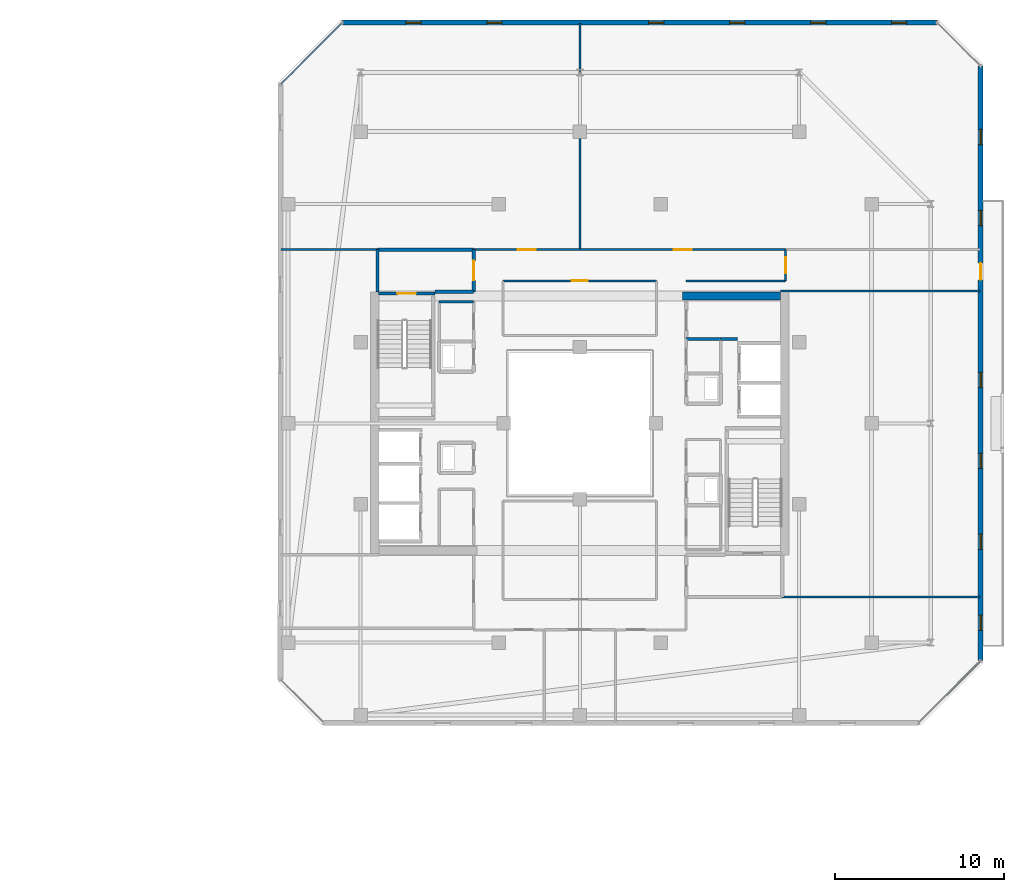
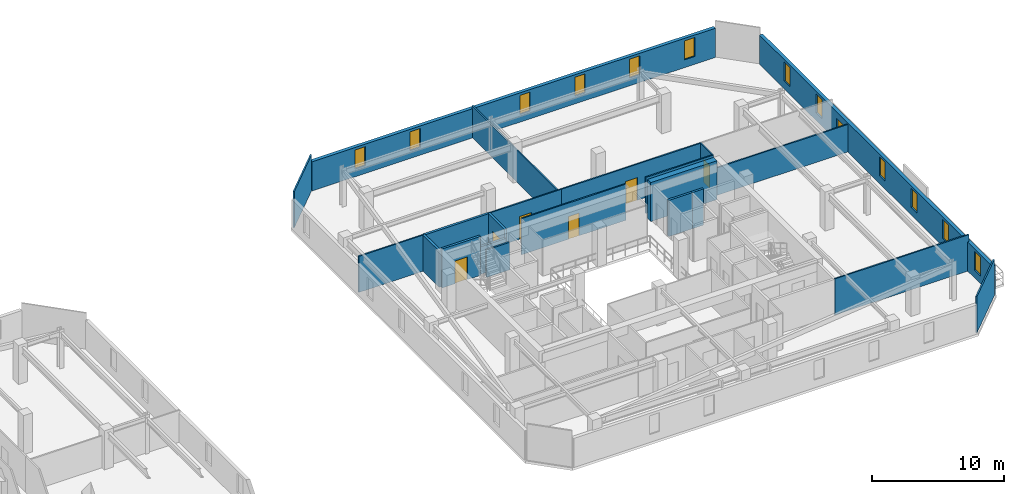
# One storey, part 27 of 34: 22 walls, 12 windows, 7 doors, 19 openings.
"""IFC4 building model written with IfcOpenShell, lengths in metres."""

from ifc_helpers import new_model, si_unit, direction, frame, frame_2d, origin, place, context, subcontext, project, spatial, rectangle, extrude, material, layer, layer_set, type_object, element, fill, save


model = new_model("IFC4")

# Units and contexts
model_context = context("Model", 3, precision=1e-05, world=origin(), true_north=direction((0.0, 1.0)))
body_context = subcontext(model_context, "Body", "Model", "MODEL_VIEW")
ifc_project = project(units=[si_unit("LENGTHUNIT", "METRE"), si_unit("AREAUNIT", "SQUARE_METRE"), si_unit("VOLUMEUNIT", "CUBIC_METRE"), si_unit("PLANEANGLEUNIT", "RADIAN"), si_unit("MASSUNIT", "GRAM", prefix="KILO")], contexts=[model_context])

# Site, building, storey
site_placement = place(None, origin())
site = spatial("IfcSite", under=ifc_project, at=site_placement, CompositionType="ELEMENT")
building_placement = place(site_placement, origin())
building = spatial("IfcBuilding", under=site, at=building_placement, Name="Thornwick Lancets Civic Towers", CompositionType="ELEMENT")
storey_placement = place(building_placement, frame((0.0, 0.0, 261.89990234375)))
storey = spatial("IfcBuildingStorey", under=building, at=storey_placement, Name="L70", CompositionType="ELEMENT", Elevation=261.89990234375)

# Wall
ifc_material_1 = material(Name="Concrete blockwork C40/50", Category="masonry")
ifc_layer_1 = layer(ifc_material_1, 0.199951171875, Name="Concrete blockwork C40/50")
ifc_layer_set_1 = layer_set([ifc_layer_1], Name="Concrete blockwork C40/50")
wall_type_1 = type_object("IfcWallType", Name="WALL_COMP_200", PredefinedType="STANDARD", material=ifc_layer_set_1)
wall_1_placement = place(storey_placement, frame((79.89990234375, 34.800048828125, 0.0), z_axis=(0.0, 0.0, 1.0), x_axis=(1.0, 0.0, 0.0)))
element("IfcWall", 1, at=wall_1_placement, inside=storey, type_object=wall_type_1, Name="L70 Partition L70-B-FFLOB2 E1", PredefinedType="STANDARD", context=body_context, shape_type="SweptSolid", body=[
    extrude(rectangle(XDim=2.300048828125, YDim=0.199951171875, at=frame_2d((1.14990234375, 0.0))), origin(), (0.0, 0.0, 1.0), 2.545166015625),
])

# Wall, opening, door
wall_2_placement = place(storey_placement, frame((82.199951171875, 34.800048828125, 0.0), z_axis=(0.0, 0.0, 1.0), x_axis=(0.0, 1.0, 0.0)))
wall_2 = element("IfcWall", 2, at=wall_2_placement, inside=storey, type_object=wall_type_1, Name="L70 Partition L70-B-FFLOB2 E2", PredefinedType="STANDARD", context=body_context, shape_type="SweptSolid", body=[
    extrude(rectangle(XDim=2.5, YDim=0.199951171875, at=frame_2d((1.25, 0.0))), origin(), (0.0, 0.0, 1.0), 3.340087890625),
])
opening_1_placement = place(wall_2_placement, frame((0.675048828125, 0.0, 0.0)))
opening_1 = element("IfcOpeningElement", 3, at=opening_1_placement, cuts=wall_2, Name="Opening D-L70-3192", PredefinedType="OPENING", context=body_context, shape_type="SweptSolid", body=[
    extrude(rectangle(XDim=1.14990234375, YDim=2.10009765625, at=frame_2d((0.574951171875, 1.050048828125))), frame((0.0, 0.10986328125, 0.0), z_axis=(0.0, -1.0, 0.0), x_axis=(1.0, 0.0, 0.0)), (0.0, 0.0, 1.0), 0.219970703125),
])
ifc_material_2 = material(Name="Glazed fire-resisting steel", Category="steel")
door_type_1 = type_object("IfcDoorType", Name="DOOR_LOBBY_FD60", OperationType="NOTDEFINED", PredefinedType="DOOR", material=ifc_material_2)
door_1_placement = place(opening_1_placement, origin())
door_1 = element("IfcDoor", 4, at=door_1_placement, inside=storey, type_object=door_type_1, Name="L70 West Firefighting Lobby 2 Door", OperationType="SINGLE_SWING_LEFT", OverallHeight=2.10009765625, OverallWidth=1.14990234375, PredefinedType="DOOR", context=body_context, shape_type="SweptSolid", body=[
    extrude(rectangle(XDim=1.14990234375, YDim=2.10009765625, at=frame_2d((0.574951171875, 1.050048828125))), frame((0.0, 0.02490234375, 0.0), z_axis=(0.0, -1.0, 0.0), x_axis=(1.0, 0.0, 0.0)), (0.0, 0.0, 1.0), 0.050048828125),
])
fill(opening_1, door_1)

# Walls
wall_3_placement = place(storey_placement, frame((82.199951171875, 37.300048828125, 0.0), z_axis=(0.0, 0.0, 1.0), x_axis=(-1.0, 0.0, 0.0)))
element("IfcWall", 5, at=wall_3_placement, inside=storey, type_object=wall_type_1, Name="L70 Partition L70-B-FFLOB2 E3", PredefinedType="STANDARD", context=body_context, shape_type="SweptSolid", body=[
    extrude(rectangle(XDim=5.699951171875, YDim=0.199951171875, at=frame_2d((2.85009765625, 0.0))), origin(), (0.0, 0.0, 1.0), 3.340087890625),
])
wall_4_placement = place(storey_placement, frame((76.5, 37.300048828125, 0.0), z_axis=(0.0, 0.0, 1.0), x_axis=(0.0, -1.0, 0.0)))
element("IfcWall", 6, at=wall_4_placement, inside=storey, type_object=wall_type_1, Name="L70 Partition L70-B-FFLOB2 E4", PredefinedType="STANDARD", context=body_context, shape_type="SweptSolid", body=[
    extrude(rectangle(XDim=2.5, YDim=0.199951171875, at=frame_2d((1.25, 0.0))), origin(), (0.0, 0.0, 1.0), 3.340087890625),
])
wall_5_placement = place(storey_placement, frame((97.85205078125, 32.0, 0.0), z_axis=(0.0, 0.0, 1.0), x_axis=(-1.0, 0.0, 0.0)))
element("IfcWall", 7, at=wall_5_placement, inside=storey, type_object=wall_type_1, Name="L70 Partition L70-B-STR2 E4", PredefinedType="STANDARD", context=body_context, shape_type="SweptSolid", body=[
    extrude(rectangle(XDim=1.001953125, YDim=0.199951171875, at=frame_2d((0.5009765625, 0.0))), origin(), (0.0, 0.0, 1.0), 3.340087890625),
])
wall_6_placement = place(storey_placement, frame((96.85009765625, 32.0, 0.0), z_axis=(0.0, 0.0, 1.0), x_axis=(-1.0, 0.0, 0.0)))
element("IfcWall", 8, at=wall_6_placement, inside=storey, type_object=wall_type_1, Name="L70 Partition L70-B-STR2 E5", PredefinedType="STANDARD", context=body_context, shape_type="SweptSolid", body=[
    extrude(rectangle(XDim=2.050048828125, YDim=0.199951171875, at=frame_2d((1.02490234375, 0.0))), origin(), (0.0, 0.0, 1.0), 3.340087890625),
])
ifc_material_3 = material(Name="Concrete C50/60", Category="concrete")
ifc_layer_2 = layer(ifc_material_3, 0.5, Name="Concrete C50/60")
ifc_layer_set_2 = layer_set([ifc_layer_2], Name="Concrete C50/60")
wall_type_2 = type_object("IfcWallType", Name="WALL_CORE_500", PredefinedType="SHEAR", material=ifc_layer_set_2)
wall_7_placement = place(storey_placement, frame((94.60009765625, 34.550048828125, 0.0), z_axis=(0.0, 0.0, 1.0), x_axis=(1.0, 0.0, 0.0)))
element("IfcWall", 9, at=wall_7_placement, inside=storey, type_object=wall_type_2, Name="L70 Split Core B1 Shear Wall N", PredefinedType="SHEAR", context=body_context, shape_type="SweptSolid", body=[
    extrude(rectangle(XDim=5.7998046875, YDim=0.5, at=frame_2d((2.89990234375, 0.0))), origin(), (0.0, 0.0, 1.0), 3.60009765625),
])

# Wall, openings, door, windows
ifc_material_4 = material(Name="Insulated russet terracotta rainscreen on concrete C40/50", Category="masonry")
ifc_layer_3 = layer(ifc_material_4, 0.300048828125, Name="Insulated russet terracotta rainscreen on concrete C40/50")
ifc_layer_set_3 = layer_set([ifc_layer_3], Name="Insulated russet terracotta rainscreen on concrete C40/50")
wall_type_3 = type_object("IfcWallType", Name="WALL_EXT_RUSSET_300", PredefinedType="STANDARD", material=ifc_layer_set_3)
wall_8_placement = place(storey_placement, frame((112.260986328125, 12.92236328125, 0.0), z_axis=(0.0, 0.0, 1.0), x_axis=(0.000103863011, 0.999999994606, 0.0)))
wall_8 = element("IfcWall", 10, at=wall_8_placement, inside=storey, type_object=wall_type_3, Name="L70 Tower B Terracotta Facade Wall E2", PredefinedType="STANDARD", context=body_context, shape_type="SweptSolid", body=[
    extrude(rectangle(XDim=35.259033203125, YDim=0.300048828125, at=frame_2d((17.62939453125, 0.0))), origin(), (0.0, 0.0, 1.0), 2.7001953125),
])
opening_2_placement = place(wall_8_placement, frame((22.57958984375, 0.0, 0.0)))
opening_2 = element("IfcOpeningElement", 11, at=opening_2_placement, cuts=wall_8, Name="Opening D-BL-L70-BE", PredefinedType="OPENING", context=body_context, shape_type="SweptSolid", body=[
    extrude(rectangle(XDim=1.0, YDim=2.080078125, at=frame_2d((0.5, 1.0400390625))), frame((0.0, 0.16015625, 0.0), z_axis=(0.0, -1.0, 0.0), x_axis=(1.0, 0.0, 0.0)), (0.0, 0.0, 1.0), 0.320068359375),
])
opening_3_placement = place(wall_8_placement, frame((1.800048828125, 0.0, 0.719970703125)))
opening_3 = element("IfcOpeningElement", 12, at=opening_3_placement, cuts=wall_8, Name="Opening WL-01", PredefinedType="OPENING", context=body_context, shape_type="SweptSolid", body=[
    extrude(rectangle(XDim=0.89990234375, YDim=1.75, at=frame_2d((0.449951171875, 0.875))), frame((0.0, 0.16015625, 0.0), z_axis=(0.0, -1.0, 0.0), x_axis=(1.0, 0.0, 0.0)), (0.0, 0.0, 1.0), 0.320068359375),
])
opening_4_placement = place(wall_8_placement, frame((6.60009765625, 0.0, 0.719970703125)))
opening_4 = element("IfcOpeningElement", 13, at=opening_4_placement, cuts=wall_8, Name="Opening WL-01", PredefinedType="OPENING", context=body_context, shape_type="SweptSolid", body=[
    extrude(rectangle(XDim=0.89990234375, YDim=1.75, at=frame_2d((0.449951171875, 0.875))), frame((0.0, 0.16015625, 0.0), z_axis=(0.0, -1.0, 0.0), x_axis=(1.0, 0.0, 0.0)), (0.0, 0.0, 1.0), 0.320068359375),
])
opening_5_placement = place(wall_8_placement, frame((11.39990234375, 0.0, 0.719970703125)))
opening_5 = element("IfcOpeningElement", 14, at=opening_5_placement, cuts=wall_8, Name="Opening WL-01", PredefinedType="OPENING", context=body_context, shape_type="SweptSolid", body=[
    extrude(rectangle(XDim=0.89990234375, YDim=1.75, at=frame_2d((0.449951171875, 0.875))), frame((0.0, 0.16015625, 0.0), z_axis=(0.0, -1.0, 0.0), x_axis=(1.0, 0.0, 0.0)), (0.0, 0.0, 1.0), 0.320068359375),
])
opening_6_placement = place(wall_8_placement, frame((16.199951171875, 0.0, 0.719970703125)))
opening_6 = element("IfcOpeningElement", 15, at=opening_6_placement, cuts=wall_8, Name="Opening WL-01", PredefinedType="OPENING", context=body_context, shape_type="SweptSolid", body=[
    extrude(rectangle(XDim=0.89990234375, YDim=1.75, at=frame_2d((0.449951171875, 0.875))), frame((0.0, 0.16015625, 0.0), z_axis=(0.0, -1.0, 0.0), x_axis=(1.0, 0.0, 0.0)), (0.0, 0.0, 1.0), 0.320068359375),
])
opening_7_placement = place(wall_8_placement, frame((25.800048828125, 0.0, 0.719970703125)))
opening_7 = element("IfcOpeningElement", 16, at=opening_7_placement, cuts=wall_8, Name="Opening WL-01", PredefinedType="OPENING", context=body_context, shape_type="SweptSolid", body=[
    extrude(rectangle(XDim=0.89990234375, YDim=1.75, at=frame_2d((0.449951171875, 0.875))), frame((0.0, 0.16015625, 0.0), z_axis=(0.0, -1.0, 0.0), x_axis=(1.0, 0.0, 0.0)), (0.0, 0.0, 1.0), 0.320068359375),
])
opening_8_placement = place(wall_8_placement, frame((30.60009765625, 0.0, 0.719970703125)))
opening_8 = element("IfcOpeningElement", 17, at=opening_8_placement, cuts=wall_8, Name="Opening WL-01", PredefinedType="OPENING", context=body_context, shape_type="SweptSolid", body=[
    extrude(rectangle(XDim=0.89990234375, YDim=1.75, at=frame_2d((0.449951171875, 0.875))), frame((0.0, 0.16015625, 0.0), z_axis=(0.0, -1.0, 0.0), x_axis=(1.0, 0.0, 0.0)), (0.0, 0.0, 1.0), 0.320068359375),
])
ifc_material_5 = material(Name="Thermally broken glazed loggia doorset")
door_type_2 = type_object("IfcDoorType", Name="DOOR_BALC_1000", OperationType="NOTDEFINED", PredefinedType="DOOR", material=ifc_material_5)
door_2_placement = place(opening_2_placement, origin())
door_2 = element("IfcDoor", 18, at=door_2_placement, inside=storey, type_object=door_type_2, Name="L70 Tower B Loggia Balcony Door E", OperationType="SINGLE_SWING_LEFT", OverallHeight=2.080078125, OverallWidth=1.0, PredefinedType="DOOR", context=body_context, shape_type="SweptSolid", body=[
    extrude(rectangle(XDim=1.0, YDim=2.080078125, at=frame_2d((0.5, 1.0400390625))), frame((0.0, 0.02490234375, 0.0), z_axis=(0.0, -1.0, 0.0), x_axis=(1.0, 0.0, 0.0)), (0.0, 0.0, 1.0), 0.050048828125),
])
fill(opening_2, door_2)
ifc_material_6 = material(Name="Clear low-e double glazing in bronze frame", Category="glass")
window_type = type_object("IfcWindowType", Name="WIN_LANCET_900", PartitioningType="SINGLE_PANEL", PredefinedType="WINDOW", material=ifc_material_6)
window_1_placement = place(opening_3_placement, origin())
window_1 = element("IfcWindow", 19, at=window_1_placement, inside=storey, type_object=window_type, Name="L70 Tower B Staggered Lancet Window E2-1", OverallHeight=1.75, OverallWidth=0.89990234375, PartitioningType="SINGLE_PANEL", PredefinedType="WINDOW", context=body_context, shape_type="SweptSolid", body=[
    extrude(rectangle(XDim=0.89990234375, YDim=1.75, at=frame_2d((0.449951171875, 0.875))), frame((0.0, 0.030029296875, 0.0), z_axis=(0.0, -1.0, 0.0), x_axis=(1.0, 0.0, 0.0)), (0.0, 0.0, 1.0), 0.06005859375),
])
fill(opening_3, window_1)
window_2_placement = place(opening_4_placement, origin())
window_2 = element("IfcWindow", 20, at=window_2_placement, inside=storey, type_object=window_type, Name="L70 Tower B Staggered Lancet Window E2-2", OverallHeight=1.75, OverallWidth=0.89990234375, PartitioningType="SINGLE_PANEL", PredefinedType="WINDOW", context=body_context, shape_type="SweptSolid", body=[
    extrude(rectangle(XDim=0.89990234375, YDim=1.75, at=frame_2d((0.449951171875, 0.875))), frame((0.0, 0.030029296875, 0.0), z_axis=(0.0, -1.0, 0.0), x_axis=(1.0, 0.0, 0.0)), (0.0, 0.0, 1.0), 0.06005859375),
])
fill(opening_4, window_2)
window_3_placement = place(opening_5_placement, origin())
window_3 = element("IfcWindow", 21, at=window_3_placement, inside=storey, type_object=window_type, Name="L70 Tower B Staggered Lancet Window E2-3", OverallHeight=1.75, OverallWidth=0.89990234375, PartitioningType="SINGLE_PANEL", PredefinedType="WINDOW", context=body_context, shape_type="SweptSolid", body=[
    extrude(rectangle(XDim=0.89990234375, YDim=1.75, at=frame_2d((0.449951171875, 0.875))), frame((0.0, 0.030029296875, 0.0), z_axis=(0.0, -1.0, 0.0), x_axis=(1.0, 0.0, 0.0)), (0.0, 0.0, 1.0), 0.06005859375),
])
fill(opening_5, window_3)
window_4_placement = place(opening_6_placement, origin())
window_4 = element("IfcWindow", 22, at=window_4_placement, inside=storey, type_object=window_type, Name="L70 Tower B Staggered Lancet Window E2-4", OverallHeight=1.75, OverallWidth=0.89990234375, PartitioningType="SINGLE_PANEL", PredefinedType="WINDOW", context=body_context, shape_type="SweptSolid", body=[
    extrude(rectangle(XDim=0.89990234375, YDim=1.75, at=frame_2d((0.449951171875, 0.875))), frame((0.0, 0.030029296875, 0.0), z_axis=(0.0, -1.0, 0.0), x_axis=(1.0, 0.0, 0.0)), (0.0, 0.0, 1.0), 0.06005859375),
])
fill(opening_6, window_4)
window_5_placement = place(opening_7_placement, origin())
window_5 = element("IfcWindow", 23, at=window_5_placement, inside=storey, type_object=window_type, Name="L70 Tower B Staggered Lancet Window E2-5", OverallHeight=1.75, OverallWidth=0.89990234375, PartitioningType="SINGLE_PANEL", PredefinedType="WINDOW", context=body_context, shape_type="SweptSolid", body=[
    extrude(rectangle(XDim=0.89990234375, YDim=1.75, at=frame_2d((0.449951171875, 0.875))), frame((0.0, 0.030029296875, 0.0), z_axis=(0.0, -1.0, 0.0), x_axis=(1.0, 0.0, 0.0)), (0.0, 0.0, 1.0), 0.06005859375),
])
fill(opening_7, window_5)
window_6_placement = place(opening_8_placement, origin())
window_6 = element("IfcWindow", 24, at=window_6_placement, inside=storey, type_object=window_type, Name="L70 Tower B Staggered Lancet Window E2-6", OverallHeight=1.75, OverallWidth=0.89990234375, PartitioningType="SINGLE_PANEL", PredefinedType="WINDOW", context=body_context, shape_type="SweptSolid", body=[
    extrude(rectangle(XDim=0.89990234375, YDim=1.75, at=frame_2d((0.449951171875, 0.875))), frame((0.0, 0.030029296875, 0.0), z_axis=(0.0, -1.0, 0.0), x_axis=(1.0, 0.0, 0.0)), (0.0, 0.0, 1.0), 0.06005859375),
])
fill(opening_8, window_6)

# Wall, openings, windows
wall_9_placement = place(storey_placement, frame((109.681396484375, 50.7646484375, 0.0), z_axis=(0.0, 0.0, 1.0), x_axis=(-0.999999994606, -0.000103863011, 0.0)))
wall_9 = element("IfcWall", 25, at=wall_9_placement, inside=storey, type_object=wall_type_3, Name="L70 Tower B Terracotta Facade Wall E4", PredefinedType="STANDARD", context=body_context, shape_type="SweptSolid", body=[
    extrude(rectangle(XDim=35.259033203125, YDim=0.300048828125, at=frame_2d((17.62939453125, 0.0))), origin(), (0.0, 0.0, 1.0), 2.7001953125),
])
opening_9_placement = place(wall_9_placement, frame((1.800048828125, 0.0, 0.719970703125)))
opening_9 = element("IfcOpeningElement", 26, at=opening_9_placement, cuts=wall_9, Name="Opening WL-01", PredefinedType="OPENING", context=body_context, shape_type="SweptSolid", body=[
    extrude(rectangle(XDim=0.89990234375, YDim=1.75, at=frame_2d((0.449951171875, 0.875))), frame((0.0, 0.16015625, 0.0), z_axis=(0.0, -1.0, 0.0), x_axis=(1.0, 0.0, 0.0)), (0.0, 0.0, 1.0), 0.320068359375),
])
opening_10_placement = place(wall_9_placement, frame((6.60009765625, 0.0, 0.719970703125)))
opening_10 = element("IfcOpeningElement", 27, at=opening_10_placement, cuts=wall_9, Name="Opening WL-01", PredefinedType="OPENING", context=body_context, shape_type="SweptSolid", body=[
    extrude(rectangle(XDim=0.89990234375, YDim=1.75, at=frame_2d((0.449951171875, 0.875))), frame((0.0, 0.16015625, 0.0), z_axis=(0.0, -1.0, 0.0), x_axis=(1.0, 0.0, 0.0)), (0.0, 0.0, 1.0), 0.320068359375),
])
opening_11_placement = place(wall_9_placement, frame((11.39990234375, 0.0, 0.719970703125)))
opening_11 = element("IfcOpeningElement", 28, at=opening_11_placement, cuts=wall_9, Name="Opening WL-01", PredefinedType="OPENING", context=body_context, shape_type="SweptSolid", body=[
    extrude(rectangle(XDim=0.89990234375, YDim=1.75, at=frame_2d((0.449951171875, 0.875))), frame((0.0, 0.16015625, 0.0), z_axis=(0.0, -1.0, 0.0), x_axis=(1.0, 0.0, 0.0)), (0.0, 0.0, 1.0), 0.320068359375),
])
opening_12_placement = place(wall_9_placement, frame((16.199951171875, 0.0, 0.719970703125)))
opening_12 = element("IfcOpeningElement", 29, at=opening_12_placement, cuts=wall_9, Name="Opening WL-01", PredefinedType="OPENING", context=body_context, shape_type="SweptSolid", body=[
    extrude(rectangle(XDim=0.89990234375, YDim=1.75, at=frame_2d((0.449951171875, 0.875))), frame((0.0, 0.16015625, 0.0), z_axis=(0.0, -1.0, 0.0), x_axis=(1.0, 0.0, 0.0)), (0.0, 0.0, 1.0), 0.320068359375),
])
opening_13_placement = place(wall_9_placement, frame((25.800048828125, 0.0, 0.719970703125)))
opening_13 = element("IfcOpeningElement", 30, at=opening_13_placement, cuts=wall_9, Name="Opening WL-01", PredefinedType="OPENING", context=body_context, shape_type="SweptSolid", body=[
    extrude(rectangle(XDim=0.89990234375, YDim=1.75, at=frame_2d((0.449951171875, 0.875))), frame((0.0, 0.16015625, 0.0), z_axis=(0.0, -1.0, 0.0), x_axis=(1.0, 0.0, 0.0)), (0.0, 0.0, 1.0), 0.320068359375),
])
opening_14_placement = place(wall_9_placement, frame((30.60009765625, 0.0, 0.719970703125)))
opening_14 = element("IfcOpeningElement", 31, at=opening_14_placement, cuts=wall_9, Name="Opening WL-01", PredefinedType="OPENING", context=body_context, shape_type="SweptSolid", body=[
    extrude(rectangle(XDim=0.89990234375, YDim=1.75, at=frame_2d((0.449951171875, 0.875))), frame((0.0, 0.16015625, 0.0), z_axis=(0.0, -1.0, 0.0), x_axis=(1.0, 0.0, 0.0)), (0.0, 0.0, 1.0), 0.320068359375),
])
window_7_placement = place(opening_9_placement, origin())
window_7 = element("IfcWindow", 32, at=window_7_placement, inside=storey, type_object=window_type, Name="L70 Tower B Staggered Lancet Window E4-1", OverallHeight=1.75, OverallWidth=0.89990234375, PartitioningType="SINGLE_PANEL", PredefinedType="WINDOW", context=body_context, shape_type="SweptSolid", body=[
    extrude(rectangle(XDim=0.89990234375, YDim=1.75, at=frame_2d((0.449951171875, 0.875))), frame((0.0, 0.030029296875, 0.0), z_axis=(0.0, -1.0, 0.0), x_axis=(1.0, 0.0, 0.0)), (0.0, 0.0, 1.0), 0.06005859375),
])
fill(opening_9, window_7)
window_8_placement = place(opening_10_placement, origin())
window_8 = element("IfcWindow", 33, at=window_8_placement, inside=storey, type_object=window_type, Name="L70 Tower B Staggered Lancet Window E4-2", OverallHeight=1.75, OverallWidth=0.89990234375, PartitioningType="SINGLE_PANEL", PredefinedType="WINDOW", context=body_context, shape_type="SweptSolid", body=[
    extrude(rectangle(XDim=0.89990234375, YDim=1.75, at=frame_2d((0.449951171875, 0.875))), frame((0.0, 0.030029296875, 0.0), z_axis=(0.0, -1.0, 0.0), x_axis=(1.0, 0.0, 0.0)), (0.0, 0.0, 1.0), 0.06005859375),
])
fill(opening_10, window_8)
window_9_placement = place(opening_11_placement, origin())
window_9 = element("IfcWindow", 34, at=window_9_placement, inside=storey, type_object=window_type, Name="L70 Tower B Staggered Lancet Window E4-3", OverallHeight=1.75, OverallWidth=0.89990234375, PartitioningType="SINGLE_PANEL", PredefinedType="WINDOW", context=body_context, shape_type="SweptSolid", body=[
    extrude(rectangle(XDim=0.89990234375, YDim=1.75, at=frame_2d((0.449951171875, 0.875))), frame((0.0, 0.030029296875, 0.0), z_axis=(0.0, -1.0, 0.0), x_axis=(1.0, 0.0, 0.0)), (0.0, 0.0, 1.0), 0.06005859375),
])
fill(opening_11, window_9)
window_10_placement = place(opening_12_placement, origin())
window_10 = element("IfcWindow", 35, at=window_10_placement, inside=storey, type_object=window_type, Name="L70 Tower B Staggered Lancet Window E4-4", OverallHeight=1.75, OverallWidth=0.89990234375, PartitioningType="SINGLE_PANEL", PredefinedType="WINDOW", context=body_context, shape_type="SweptSolid", body=[
    extrude(rectangle(XDim=0.89990234375, YDim=1.75, at=frame_2d((0.449951171875, 0.875))), frame((0.0, 0.030029296875, 0.0), z_axis=(0.0, -1.0, 0.0), x_axis=(1.0, 0.0, 0.0)), (0.0, 0.0, 1.0), 0.06005859375),
])
fill(opening_12, window_10)
window_11_placement = place(opening_13_placement, origin())
window_11 = element("IfcWindow", 36, at=window_11_placement, inside=storey, type_object=window_type, Name="L70 Tower B Staggered Lancet Window E4-5", OverallHeight=1.75, OverallWidth=0.89990234375, PartitioningType="SINGLE_PANEL", PredefinedType="WINDOW", context=body_context, shape_type="SweptSolid", body=[
    extrude(rectangle(XDim=0.89990234375, YDim=1.75, at=frame_2d((0.449951171875, 0.875))), frame((0.0, 0.030029296875, 0.0), z_axis=(0.0, -1.0, 0.0), x_axis=(1.0, 0.0, 0.0)), (0.0, 0.0, 1.0), 0.06005859375),
])
fill(opening_13, window_11)
window_12_placement = place(opening_14_placement, origin())
window_12 = element("IfcWindow", 37, at=window_12_placement, inside=storey, type_object=window_type, Name="L70 Tower B Staggered Lancet Window E4-6", OverallHeight=1.75, OverallWidth=0.89990234375, PartitioningType="SINGLE_PANEL", PredefinedType="WINDOW", context=body_context, shape_type="SweptSolid", body=[
    extrude(rectangle(XDim=0.89990234375, YDim=1.75, at=frame_2d((0.449951171875, 0.875))), frame((0.0, 0.030029296875, 0.0), z_axis=(0.0, -1.0, 0.0), x_axis=(1.0, 0.0, 0.0)), (0.0, 0.0, 1.0), 0.06005859375),
])
fill(opening_14, window_12)

# Wall
ifc_material_7 = material(Name="Acoustic gypsum board partition")
ifc_layer_4 = layer(ifc_material_7, 0.1201171875, Name="Acoustic gypsum board partition")
ifc_layer_set_4 = layer_set([ifc_layer_4], Name="Acoustic gypsum board partition")
wall_type_4 = type_object("IfcWallType", Name="WALL_PART_120", PredefinedType="PARTITIONING", material=ifc_layer_set_4)
wall_10_placement = place(storey_placement, frame((94.800048828125, 35.449951171875, 0.0), z_axis=(0.0, 0.0, 1.0), x_axis=(1.0, 0.0, 0.0)))
element("IfcWall", 38, at=wall_10_placement, inside=storey, type_object=wall_type_4, Name="L70 Partition L70-B-RECLAIM-L E2", PredefinedType="PARTITIONING", context=body_context, shape_type="SweptSolid", body=[
    extrude(rectangle(XDim=5.89990234375, YDim=0.1201171875, at=frame_2d((2.949951171875, 0.0))), origin(), (0.0, 0.0, 1.0), 3.340087890625),
])

# Wall, opening, door
wall_11_placement = place(storey_placement, frame((100.699951171875, 35.449951171875, 0.0), z_axis=(0.0, 0.0, 1.0), x_axis=(0.0, 1.0, 0.0)))
wall_11 = element("IfcWall", 39, at=wall_11_placement, inside=storey, type_object=wall_type_4, Name="L70 Partition L70-B-RECLAIM-L E3", PredefinedType="PARTITIONING", context=body_context, shape_type="SweptSolid", body=[
    extrude(rectangle(XDim=1.85009765625, YDim=0.1201171875, at=frame_2d((0.925048828125, 0.0))), origin(), (0.0, 0.0, 1.0), 3.340087890625),
])
opening_15_placement = place(wall_11_placement, frame((0.449951171875, 0.0, 0.0)))
opening_15 = element("IfcOpeningElement", 40, at=opening_15_placement, cuts=wall_11, Name="Opening D-L70-3212", PredefinedType="OPENING", context=body_context, shape_type="SweptSolid", body=[
    extrude(rectangle(XDim=0.949951171875, YDim=2.10009765625, at=frame_2d((0.47509765625, 1.050048828125))), frame((0.0, 0.070068359375, 0.0), z_axis=(0.0, -1.0, 0.0), x_axis=(1.0, 0.0, 0.0)), (0.0, 0.0, 1.0), 0.14013671875),
])
ifc_material_8 = material(Name="European oak acoustic doorset")
door_type_3 = type_object("IfcDoorType", Name="DOOR_OFFICE_950", OperationType="NOTDEFINED", PredefinedType="DOOR", material=ifc_material_8)
door_3_placement = place(opening_15_placement, origin())
door_3 = element("IfcDoor", 41, at=door_3_placement, inside=storey, type_object=door_type_3, Name="L70 Tower B Parliamentary Drafting Library Door", OperationType="SINGLE_SWING_LEFT", OverallHeight=2.10009765625, OverallWidth=0.949951171875, PredefinedType="DOOR", context=body_context, shape_type="SweptSolid", body=[
    extrude(rectangle(XDim=0.949951171875, YDim=2.10009765625, at=frame_2d((0.47509765625, 1.050048828125))), frame((0.0, 0.02490234375, 0.0), z_axis=(0.0, -1.0, 0.0), x_axis=(1.0, 0.0, 0.0)), (0.0, 0.0, 1.0), 0.050048828125),
])
fill(opening_15, door_3)

# Walls
wall_12_placement = place(storey_placement, frame((112.219970703125, 34.85009765625, 0.0), z_axis=(0.0, 0.0, 1.0), x_axis=(-1.0, 0.0, 0.0)))
element("IfcWall", 42, at=wall_12_placement, inside=storey, type_object=wall_type_4, Name="L70 Partition L70-B-RECLAIM-L E6", PredefinedType="PARTITIONING", context=body_context, shape_type="SweptSolid", body=[
    extrude(rectangle(XDim=11.820068359375, YDim=0.1201171875, at=frame_2d((5.91015625, 0.0))), origin(), (0.0, 0.0, 1.0), 2.545166015625),
])
wall_13_placement = place(storey_placement, frame((100.5, 16.699951171875, 0.0), z_axis=(0.0, 0.0, 1.0), x_axis=(1.0, 0.0, 0.0)))
element("IfcWall", 43, at=wall_13_placement, inside=storey, type_object=wall_type_4, Name="L70 Partition L70-B-W1 E7", PredefinedType="PARTITIONING", context=body_context, shape_type="SweptSolid", body=[
    extrude(rectangle(XDim=11.719970703125, YDim=0.1201171875, at=frame_2d((5.85986328125, 0.0))), origin(), (0.0, 0.0, 1.0), 3.340087890625),
])
wall_14_placement = place(storey_placement, frame((112.219970703125, 12.882568359375, 0.0), z_axis=(0.0, 0.0, 1.0), x_axis=(-0.707106781187, -0.707106781187, 0.0)))
element("IfcWall", 44, at=wall_14_placement, inside=storey, type_object=wall_type_4, Name="L70 Partition L70-B-W1 E9", PredefinedType="PARTITIONING", context=body_context, shape_type="SweptSolid", body=[
    extrude(rectangle(XDim=5.0947265625, YDim=0.1201171875, at=frame_2d((2.54736328125, 0.0))), origin(), (0.0, 0.0, 1.0), 3.340087890625),
])

# Wall, opening, door
wall_15_placement = place(storey_placement, frame((100.699951171875, 37.300048828125, 0.0), z_axis=(0.0, 0.0, 1.0), x_axis=(-1.0, 0.0, 0.0)))
wall_15 = element("IfcWall", 45, at=wall_15_placement, inside=storey, type_object=wall_type_4, Name="L70 Partition L70-B-E1 E1", PredefinedType="PARTITIONING", context=body_context, shape_type="SweptSolid", body=[
    extrude(rectangle(XDim=12.199951171875, YDim=0.1201171875, at=frame_2d((6.10009765625, 0.0))), origin(), (0.0, 0.0, 1.0), 3.340087890625),
])
opening_16_placement = place(wall_15_placement, frame((5.574951171875, 0.0, 0.0)))
opening_16 = element("IfcOpeningElement", 46, at=opening_16_placement, cuts=wall_15, Name="Opening D-L70-3218", PredefinedType="OPENING", context=body_context, shape_type="SweptSolid", body=[
    extrude(rectangle(XDim=1.050048828125, YDim=2.10009765625, at=frame_2d((0.52490234375, 1.050048828125))), frame((0.0, 0.070068359375, 0.0), z_axis=(0.0, -1.0, 0.0), x_axis=(1.0, 0.0, 0.0)), (0.0, 0.0, 1.0), 0.14013671875),
])
ifc_material_9 = material(Name="Glazed European oak executive doorset")
door_type_4 = type_object("IfcDoorType", Name="DOOR_OFFICE_1050", OperationType="NOTDEFINED", PredefinedType="DOOR", material=ifc_material_9)
door_4_placement = place(opening_16_placement, origin())
door_4 = element("IfcDoor", 47, at=door_4_placement, inside=storey, type_object=door_type_4, Name="L70 Tower B Secretariat Open Office E1 Door", OperationType="SINGLE_SWING_LEFT", OverallHeight=2.10009765625, OverallWidth=1.050048828125, PredefinedType="DOOR", context=body_context, shape_type="SweptSolid", body=[
    extrude(rectangle(XDim=1.050048828125, YDim=2.10009765625, at=frame_2d((0.52490234375, 1.050048828125))), frame((0.0, 0.02490234375, 0.0), z_axis=(0.0, -1.0, 0.0), x_axis=(1.0, 0.0, 0.0)), (0.0, 0.0, 1.0), 0.050048828125),
])
fill(opening_16, door_4)

# Walls
wall_16_placement = place(storey_placement, frame((88.5, 37.300048828125, 0.0), z_axis=(0.0, 0.0, 1.0), x_axis=(0.0, 1.0, 0.0)))
element("IfcWall", 48, at=wall_16_placement, inside=storey, type_object=wall_type_4, Name="L70 Partition L70-B-E1 E2", PredefinedType="PARTITIONING", context=body_context, shape_type="SweptSolid", body=[
    extrude(rectangle(XDim=13.419921875, YDim=0.1201171875, at=frame_2d((6.7099609375, 0.0))), origin(), (0.0, 0.0, 1.0), 2.932373046875),
])
wall_17_placement = place(storey_placement, frame((76.5, 37.300048828125, 0.0), z_axis=(0.0, 0.0, 1.0), x_axis=(-1.0, 0.0, 0.0)))
element("IfcWall", 49, at=wall_17_placement, inside=storey, type_object=wall_type_4, Name="L70 Partition L70-B-E2 E2", PredefinedType="PARTITIONING", context=body_context, shape_type="SweptSolid", body=[
    extrude(rectangle(XDim=5.719970703125, YDim=0.1201171875, at=frame_2d((2.85986328125, 0.0))), origin(), (0.0, 0.0, 1.0), 3.340087890625),
])
wall_18_placement = place(storey_placement, frame((70.780029296875, 47.117431640625, 0.0), z_axis=(0.0, 0.0, 1.0), x_axis=(0.707106781187, 0.707106781187, 0.0)))
element("IfcWall", 50, at=wall_18_placement, inside=storey, type_object=wall_type_4, Name="L70 Partition L70-B-E2 E4", PredefinedType="PARTITIONING", context=body_context, shape_type="SweptSolid", body=[
    extrude(rectangle(XDim=5.0947265625, YDim=0.1201171875, at=frame_2d((2.54736328125, 0.0))), origin(), (0.0, 0.0, 1.0), 3.340087890625),
])

# Wall, opening, door
wall_19_placement = place(storey_placement, frame((88.5, 37.300048828125, 0.0), z_axis=(0.0, 0.0, 1.0), x_axis=(-1.0, 0.0, 0.0)))
wall_19 = element("IfcWall", 51, at=wall_19_placement, inside=storey, type_object=wall_type_4, Name="L70 Partition L70-B-E2 E7", PredefinedType="PARTITIONING", context=body_context, shape_type="SweptSolid", body=[
    extrude(rectangle(XDim=6.300048828125, YDim=0.1201171875, at=frame_2d((3.14990234375, 0.0))), origin(), (0.0, 0.0, 1.0), 3.340087890625),
])
opening_17_placement = place(wall_19_placement, frame((2.625, 0.0, 0.0)))
opening_17 = element("IfcOpeningElement", 52, at=opening_17_placement, cuts=wall_19, Name="Opening D-L70-3219", PredefinedType="OPENING", context=body_context, shape_type="SweptSolid", body=[
    extrude(rectangle(XDim=1.050048828125, YDim=2.10009765625, at=frame_2d((0.52490234375, 1.050048828125))), frame((0.0, 0.070068359375, 0.0), z_axis=(0.0, -1.0, 0.0), x_axis=(1.0, 0.0, 0.0)), (0.0, 0.0, 1.0), 0.14013671875),
])
door_5_placement = place(opening_17_placement, origin())
door_5 = element("IfcDoor", 53, at=door_5_placement, inside=storey, type_object=door_type_4, Name="L70 Tower B Visitors Reception and Waiting Door", OperationType="SINGLE_SWING_RIGHT", OverallHeight=2.10009765625, OverallWidth=1.050048828125, PredefinedType="DOOR", context=body_context, shape_type="SweptSolid", body=[
    extrude(rectangle(XDim=1.050048828125, YDim=2.10009765625, at=frame_2d((0.52490234375, 1.050048828125))), frame((0.0, 0.02490234375, 0.0), z_axis=(0.0, -1.0, 0.0), x_axis=(1.0, 0.0, 0.0)), (0.0, 0.0, 1.0), 0.050048828125),
])
fill(opening_17, door_5)

wall_20_placement = place(storey_placement, frame((83.949951171875, 35.449951171875, 0.0), z_axis=(0.0, 0.0, 1.0), x_axis=(1.0, 0.0, 0.0)))
wall_20 = element("IfcWall", 54, at=wall_20_placement, inside=storey, type_object=wall_type_4, Name="L70 Partition L70-B-E-ATRIUM-OFF E2", PredefinedType="PARTITIONING", context=body_context, shape_type="SweptSolid", body=[
    extrude(rectangle(XDim=9.10009765625, YDim=0.1201171875, at=frame_2d((4.550048828125, 0.0))), origin(), (0.0, 0.0, 1.0), 3.340087890625),
])
opening_18_placement = place(wall_20_placement, frame((4.074951171875, 0.0, 0.0)))
opening_18 = element("IfcOpeningElement", 55, at=opening_18_placement, cuts=wall_20, Name="Opening D-L70-3220", PredefinedType="OPENING", context=body_context, shape_type="SweptSolid", body=[
    extrude(rectangle(XDim=0.949951171875, YDim=2.10009765625, at=frame_2d((0.47509765625, 1.050048828125))), frame((0.0, 0.070068359375, 0.0), z_axis=(0.0, -1.0, 0.0), x_axis=(1.0, 0.0, 0.0)), (0.0, 0.0, 1.0), 0.14013671875),
])
door_6_placement = place(opening_18_placement, origin())
door_6 = element("IfcDoor", 56, at=door_6_placement, inside=storey, type_object=door_type_3, Name="L70 Tower B Atrium Policy Office Door", OperationType="SINGLE_SWING_LEFT", OverallHeight=2.10009765625, OverallWidth=0.949951171875, PredefinedType="DOOR", context=body_context, shape_type="SweptSolid", body=[
    extrude(rectangle(XDim=0.949951171875, YDim=2.10009765625, at=frame_2d((0.47509765625, 1.050048828125))), frame((0.0, 0.02490234375, 0.0), z_axis=(0.0, -1.0, 0.0), x_axis=(1.0, 0.0, 0.0)), (0.0, 0.0, 1.0), 0.050048828125),
])
fill(opening_18, door_6)

# Wall
ifc_material_10 = material(Name="Twin-stud acoustic gypsum board")
ifc_layer_5 = layer(ifc_material_10, 0.14990234375, Name="Twin-stud acoustic gypsum board")
ifc_layer_set_5 = layer_set([ifc_layer_5], Name="Twin-stud acoustic gypsum board")
wall_type_5 = type_object("IfcWallType", Name="WALL_PART_150", PredefinedType="PARTITIONING", material=ifc_layer_set_5)
wall_21_placement = place(storey_placement, frame((80.14990234375, 34.199951171875, 0.0), z_axis=(0.0, 0.0, 1.0), x_axis=(1.0, 0.0, 0.0)))
element("IfcWall", 57, at=wall_21_placement, inside=storey, type_object=wall_type_5, Name="L70 Partition L70-B-FWC E2", PredefinedType="PARTITIONING", context=body_context, shape_type="SweptSolid", body=[
    extrude(rectangle(XDim=2.050048828125, YDim=0.14990234375, at=frame_2d((1.02490234375, 0.0))), origin(), (0.0, 0.0, 1.0), 2.545166015625),
])

# Wall, opening, door
ifc_material_11 = material(Name="Concrete C40/50", Category="concrete")
ifc_layer_6 = layer(ifc_material_11, 0.199951171875, Name="Concrete C40/50")
ifc_layer_set_6 = layer_set([ifc_layer_6], Name="Concrete C40/50")
wall_type_6 = type_object("IfcWallType", Name="WALL_SHAFT_200", PredefinedType="SHEAR", material=ifc_layer_set_6)
wall_22_placement = place(storey_placement, frame((76.550048828125, 34.699951171875, 0.0), z_axis=(0.0, 0.0, 1.0), x_axis=(1.0, 0.0, 0.0)))
wall_22 = element("IfcWall", 58, at=wall_22_placement, inside=storey, type_object=wall_type_6, Name="L70 ST-B2 Fire Stair Core Wall NEAR", PredefinedType="SHEAR", context=body_context, shape_type="SweptSolid", body=[
    extrude(rectangle(XDim=3.349853515625, YDim=0.199951171875, at=frame_2d((1.6748046875, 0.0))), origin(), (0.0, 0.0, 1.0), 3.60009765625),
])
opening_19_placement = place(wall_22_placement, frame((1.125, 0.0, 0.0)))
opening_19 = element("IfcOpeningElement", 59, at=opening_19_placement, cuts=wall_22, Name="Opening D-ST-B2-L70", PredefinedType="OPENING", context=body_context, shape_type="SweptSolid", body=[
    extrude(rectangle(XDim=1.10009765625, YDim=2.10009765625, at=frame_2d((0.550048828125, 1.050048828125))), frame((0.0, 0.10986328125, 0.0), z_axis=(0.0, -1.0, 0.0), x_axis=(1.0, 0.0, 0.0)), (0.0, 0.0, 1.0), 0.219970703125),
])
ifc_material_12 = material(Name="Fire-resisting steel and hardwood", Category="steel")
door_type_5 = type_object("IfcDoorType", Name="DOOR_STAIR_FD60", OperationType="NOTDEFINED", PredefinedType="DOOR", material=ifc_material_12)
door_7_placement = place(opening_19_placement, origin())
door_7 = element("IfcDoor", 60, at=door_7_placement, inside=storey, type_object=door_type_5, Name="L70 ST-B2 Exit Stair Door", OperationType="SINGLE_SWING_LEFT", OverallHeight=2.10009765625, OverallWidth=1.10009765625, PredefinedType="DOOR", context=body_context, shape_type="SweptSolid", body=[
    extrude(rectangle(XDim=1.10009765625, YDim=2.10009765625, at=frame_2d((0.550048828125, 1.050048828125))), frame((0.0, 0.02490234375, 0.0), z_axis=(0.0, -1.0, 0.0), x_axis=(1.0, 0.0, 0.0)), (0.0, 0.0, 1.0), 0.050048828125),
])
fill(opening_19, door_7)

save(model, "model.ifc")
